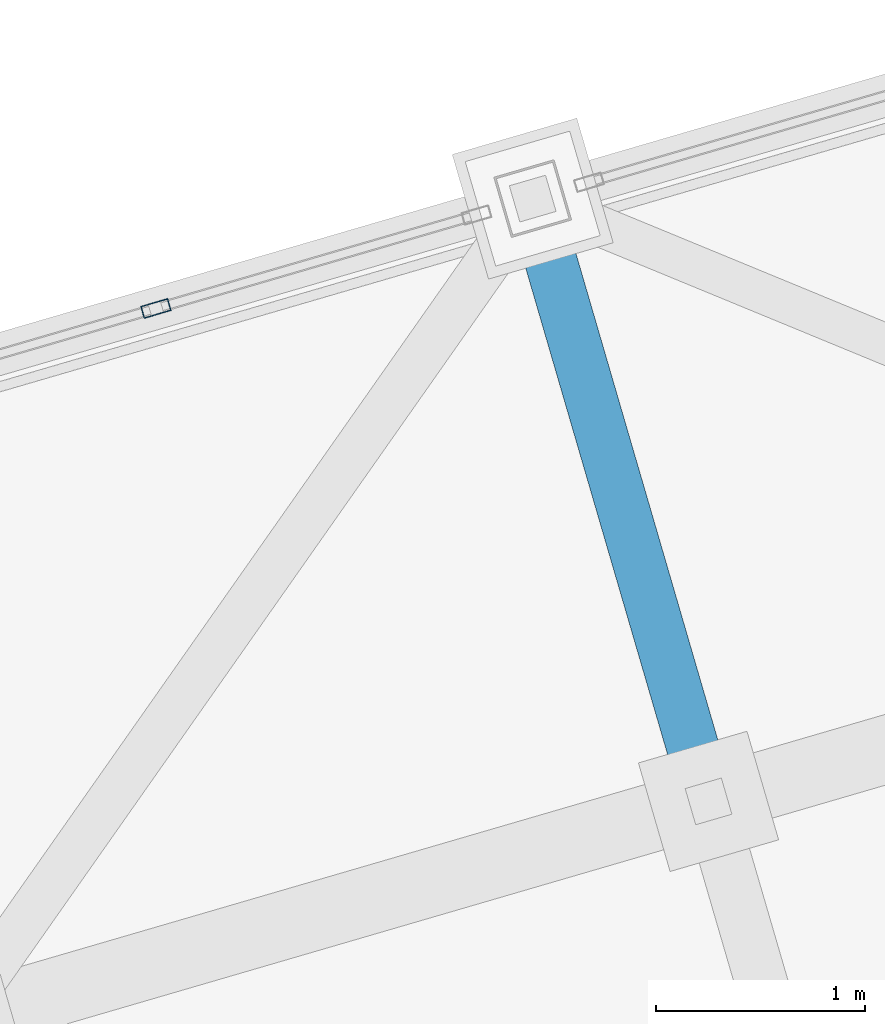
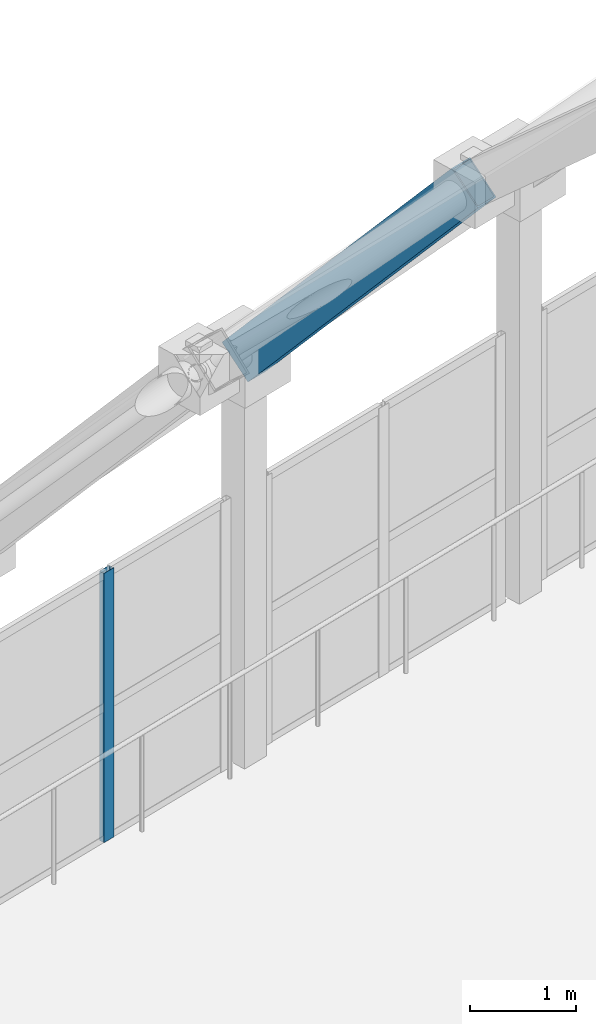
# One storey, part 57 of 248: 1 beam, 1 member, 1 element without a shape of its own.
"""IFC4 building model written with IfcOpenShell, lengths in metres."""

from ifc_helpers import new_model, si_unit, direction, frame, origin, origin_2d, place, context, subcontext, project, spatial, hollow_rectangle, extrude, material, layer, layer_set, material_profile, profile_set, type_object, element, aggregate, save


model = new_model("IFC4")

# Units and contexts
model_context = context("Model", 3, precision=1e-05, world=origin(), true_north=direction((0.0, 1.0)))
body_context = subcontext(model_context, "Body", "Model", "MODEL_VIEW")
ifc_project = project(units=[si_unit("LENGTHUNIT", "METRE"), si_unit("AREAUNIT", "SQUARE_METRE"), si_unit("VOLUMEUNIT", "CUBIC_METRE"), si_unit("PLANEANGLEUNIT", "RADIAN"), si_unit("MASSUNIT", "GRAM", prefix="KILO")], contexts=[model_context])

# Site, building, storey
site_placement = place(None, origin())
site = spatial("IfcSite", under=ifc_project, at=site_placement, CompositionType="ELEMENT")
building_placement = place(site_placement, origin())
building = spatial("IfcBuilding", under=site, at=building_placement, Name="Canggui Botanical Conservatory", CompositionType="ELEMENT")
storey_placement = place(building_placement, frame((0.0, 0.0, 5.39990234375)))
storey = spatial("IfcBuildingStorey", under=building, at=storey_placement, Name="L02", CompositionType="ELEMENT", Elevation=5.39990234375)

# Beam
ifc_material_1 = material(Name="Steel Q355C", Category="steel")
ifc_material_profile_1 = material_profile(ifc_material_1, hollow_rectangle(XDim=0.25, YDim=0.449951171875, WallThickness=0.013916015625, at=origin_2d()), Name="RHS 250x450x14")
ifc_profile_set_1 = profile_set([ifc_material_profile_1], Name="Steel Q355C")
beam_type = type_object("IfcBeamType", Name="BM-GJ02", PredefinedType="BEAM", material=ifc_profile_set_1)
beam_placement = place(storey_placement, frame((26.840087890625, 72.1201171875, 8.05615234375), z_axis=(-0.183568061506, 0.629284758361, -0.755184387874), x_axis=(-0.959989061447, -0.280037500885, 0.0)))
element("IfcBeam", 1, at=beam_placement, inside=storey, type_object=beam_type, Name="Conservatory Stepped-Arch Rib GJ-05 Segment 10", PredefinedType="BEAM", context=body_context, shape_type="SweptSolid", body=[
    extrude(hollow_rectangle(XDim=0.25, YDim=0.449951171875, WallThickness=0.013916015625, at=origin_2d()), origin(), (0.0, 0.0, 1.0), 4.576416015625),
])

# Curtain wall, member
ifc_material_2 = material(Name="Thermally Broken Aluminium", Category="aluminium")
ifc_layer = layer(ifc_material_2, 0.135009765625, Name="Thermally Broken Aluminium", Category="aluminium")
ifc_layer_set = layer_set([ifc_layer], Name="Thermally Broken Aluminium")
curtain_wall_type = type_object("IfcCurtainWallType", Name="CW-STICK-A", PredefinedType="USERDEFINED", material=ifc_layer_set)
curtain_wall_placement = place(storey_placement, origin())
curtain_wall = element("IfcCurtainWall", 2, at=curtain_wall_placement, inside=storey, type_object=curtain_wall_type, Name="Facade Curtain Wall CW-CONS-L02-V1-04", ObjectType="STICK GLAZED WALL", PredefinedType="USERDEFINED")
ifc_material_profile_2 = material_profile(ifc_material_2, hollow_rectangle(XDim=0.06005859375, YDim=0.135009765625, WallThickness=0.00341796875, at=origin_2d()), Name="CWM 60x135x3.5")
ifc_profile_set_2 = profile_set([ifc_material_profile_2], Name="Thermally Broken Aluminium")
member_type = type_object("IfcMemberType", Name="CWM-04", PredefinedType="MULLION", material=ifc_profile_set_2)
member_placement = place(storey_placement, frame((24.199951171875, 74.47509765625, 0.0), z_axis=(0.0, 0.0, 1.0), x_axis=(-0.279999999995, 0.960000000002, 0.0)))
member = element("IfcMember", 3, at=member_placement, type_object=member_type, Name="CW-04 mullion 2", PredefinedType="MULLION", context=body_context, shape_type="SweptSolid", body=[
    extrude(hollow_rectangle(XDim=0.06005859375, YDim=0.135009765625, WallThickness=0.00341796875, at=origin_2d()), origin(), (0.0, 0.0, 1.0), 3.10009765625),
])
aggregate(curtain_wall, [member])

save(model, "model.ifc")
